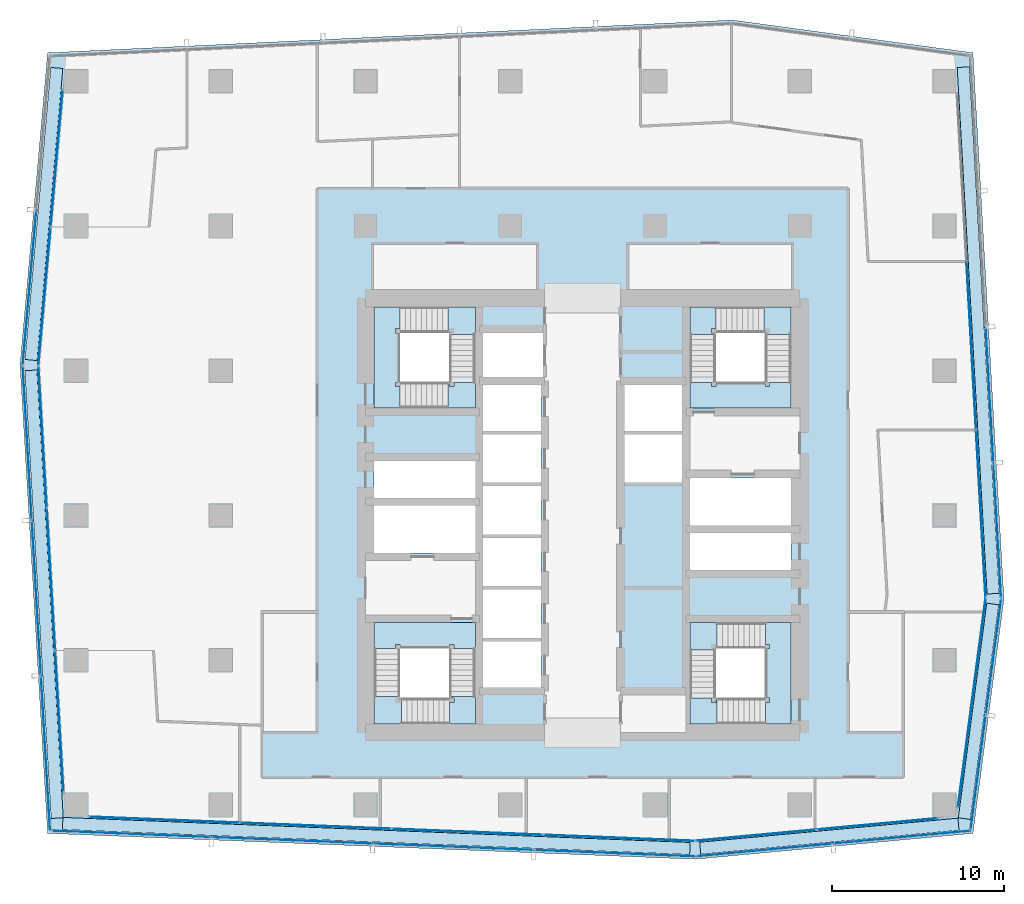
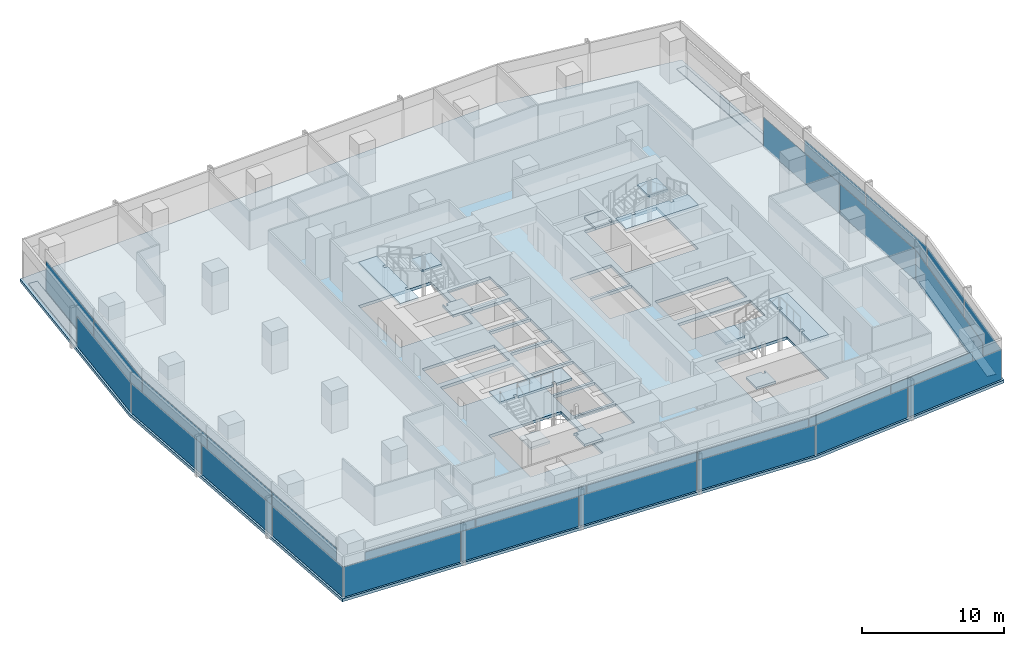
# One storey, part 26 of 40: 34 plates, 13 slabs, 16 elements without a shape of their own.
"""IFC4 building model written with IfcOpenShell, lengths in metres."""

from ifc_helpers import new_model, si_unit, direction, frame, origin, origin_2d, place, context, subcontext, project, spatial, polyline, rectangle, outline, extrude, material, layer, layer_set, type_object, element, aggregate, save


model = new_model("IFC4")

# Units and contexts
model_context = context("Model", 3, precision=1e-05, world=origin(), true_north=direction((0.0, 1.0)))
body_context = subcontext(model_context, "Body", "Model", "MODEL_VIEW")
ifc_project = project(units=[si_unit("LENGTHUNIT", "METRE"), si_unit("AREAUNIT", "SQUARE_METRE"), si_unit("VOLUMEUNIT", "CUBIC_METRE"), si_unit("PLANEANGLEUNIT", "RADIAN"), si_unit("MASSUNIT", "GRAM", prefix="KILO")], contexts=[model_context])

# Site, building, storey
site_placement = place(None, origin())
site = spatial("IfcSite", under=ifc_project, at=site_placement, CompositionType="ELEMENT")
building_placement = place(site_placement, origin())
building = spatial("IfcBuilding", under=site, at=building_placement, Name="Rekha Terrace Tower", CompositionType="ELEMENT")
storey_placement = place(building_placement, frame((0.0, 0.0, 210.199951171875)))
storey = spatial("IfcBuildingStorey", under=building, at=storey_placement, Name="L53", CompositionType="ELEMENT", Elevation=210.199951171875)

# Curtain wall, plates
ifc_material_1 = material(Name="Aluminium framing", Category="aluminium")
curtain_wall_type_1 = type_object("IfcCurtainWallType", Name="CW1 double skin inner glazing", PredefinedType="USERDEFINED", material=ifc_material_1)
curtain_wall_1_placement = place(storey_placement, origin())
curtain_wall_1 = element("IfcCurtainWall", 1, at=curtain_wall_1_placement, inside=storey, type_object=curtain_wall_type_1, Name="CW1 double skin inner glazing", ObjectType="DOUBLE SKIN INNER GLAZING", PredefinedType="USERDEFINED")
ifc_material_2 = material(Name="Double-glazed low-e unit 32", Category="glass")
ifc_layer_1 = layer(ifc_material_2, 0.031982421875)
ifc_layer_set_1 = layer_set([ifc_layer_1], Name="Double-glazed low-e unit 32")
plate_type_1 = type_object("IfcPlateType", Name="CW1 jumbo vision panel, double-glazed low-e unit 32", PredefinedType="CURTAIN_PANEL", material=ifc_layer_set_1)
plate_1_placement = place(storey_placement, frame((13.51318359375, 15.94091796875, 0.0), z_axis=(0.0, 0.0, 1.0), x_axis=(0.999204775798, -0.039872497061, 0.0)))
plate_1 = element("IfcPlate", 2, at=plate_1_placement, type_object=plate_type_1, Name="CW1 panel 1.1", PredefinedType="CURTAIN_PANEL", context=body_context, shape_type="SweptSolid", body=[
    extrude(rectangle(XDim=8.7138671875, YDim=0.031982421875, at=origin_2d()), origin(), (0.0, 0.0, 1.0), 2.60009765625),
])
plate_2_placement = place(storey_placement, frame((22.301025390625, 15.59033203125, 0.0), z_axis=(0.0, 0.0, 1.0), x_axis=(0.999204775798, -0.039872497061, 0.0)))
plate_2 = element("IfcPlate", 3, at=plate_2_placement, type_object=plate_type_1, Name="CW1 panel 2.1", PredefinedType="CURTAIN_PANEL", context=body_context, shape_type="SweptSolid", body=[
    extrude(rectangle(XDim=8.746337890625, YDim=0.031982421875, at=origin_2d()), origin(), (0.0, 0.0, 1.0), 2.60009765625),
])
plate_3_placement = place(storey_placement, frame((31.10546875, 15.239013671875, 0.0), z_axis=(0.0, 0.0, 1.0), x_axis=(0.999204775798, -0.039872497061, 0.0)))
plate_3 = element("IfcPlate", 4, at=plate_3_placement, type_object=plate_type_1, Name="CW1 panel 3.1", PredefinedType="CURTAIN_PANEL", context=body_context, shape_type="SweptSolid", body=[
    extrude(rectangle(XDim=8.746337890625, YDim=0.031982421875, at=origin_2d()), origin(), (0.0, 0.0, 1.0), 2.60009765625),
])
plate_4_placement = place(storey_placement, frame((39.926025390625, 14.886962890625, 0.0), z_axis=(0.0, 0.0, 1.0), x_axis=(0.999204775798, -0.039872497061, 0.0)))
plate_4 = element("IfcPlate", 5, at=plate_4_placement, type_object=plate_type_1, Name="CW1 panel 4.1", PredefinedType="CURTAIN_PANEL", context=body_context, shape_type="SweptSolid", body=[
    extrude(rectangle(XDim=8.77880859375, YDim=0.031982421875, at=origin_2d()), origin(), (0.0, 0.0, 1.0), 2.60009765625),
])
aggregate(curtain_wall_1, [plate_1, plate_2, plate_3, plate_4])

curtain_wall_2_placement = place(storey_placement, origin())
curtain_wall_2 = element("IfcCurtainWall", 6, at=curtain_wall_2_placement, inside=storey, type_object=curtain_wall_type_1, Name="CW1 double skin inner glazing", ObjectType="DOUBLE SKIN INNER GLAZING", PredefinedType="USERDEFINED")
plate_5_placement = place(storey_placement, frame((47.863037109375, 15.042724609375, 0.0), z_axis=(0.0, 0.0, 1.0), x_axis=(0.995693258742, 0.092708869564, 0.0)))
plate_5 = element("IfcPlate", 7, at=plate_5_placement, type_object=plate_type_1, Name="CW1 panel 1.1", PredefinedType="CURTAIN_PANEL", context=body_context, shape_type="SweptSolid", body=[
    extrude(rectangle(XDim=7.003173828125, YDim=0.031982421875, at=origin_2d()), origin(), (0.0, 0.0, 1.0), 2.60009765625),
])
plate_6_placement = place(storey_placement, frame((54.90087890625, 15.697998046875, 0.0), z_axis=(0.0, 0.0, 1.0), x_axis=(0.995693258742, 0.092708869564, 0.0)))
plate_6 = element("IfcPlate", 8, at=plate_6_placement, type_object=plate_type_1, Name="CW1 panel 2.1", PredefinedType="CURTAIN_PANEL", context=body_context, shape_type="SweptSolid", body=[
    extrude(rectangle(XDim=7.003173828125, YDim=0.031982421875, at=origin_2d()), origin(), (0.0, 0.0, 1.0), 2.60009765625),
])
aggregate(curtain_wall_2, [plate_5, plate_6])

# Curtain wall, plate
curtain_wall_3_placement = place(storey_placement, origin())
curtain_wall_3 = element("IfcCurtainWall", 9, at=curtain_wall_3_placement, inside=storey, type_object=curtain_wall_type_1, Name="CW1 double skin inner glazing", ObjectType="DOUBLE SKIN INNER GLAZING", PredefinedType="USERDEFINED")
plate_7_placement = place(storey_placement, frame((60.38330078125, 22.718505859375, 0.0), z_axis=(0.0, 0.0, 1.0), x_axis=(0.131303603093, 0.991342203185, 0.0)))
plate_7 = element("IfcPlate", 10, at=plate_7_placement, type_object=plate_type_1, Name="CW1 panel 1.1", PredefinedType="CURTAIN_PANEL", context=body_context, shape_type="SweptSolid", body=[
    extrude(rectangle(XDim=12.228759765625, YDim=0.031982421875, at=origin_2d()), origin(), (0.0, 0.0, 1.0), 2.60009765625),
])
aggregate(curtain_wall_3, [plate_7])

# Curtain wall, plates
curtain_wall_4_placement = place(storey_placement, origin())
curtain_wall_4 = element("IfcCurtainWall", 11, at=curtain_wall_4_placement, inside=storey, type_object=curtain_wall_type_1, Name="CW1 double skin inner glazing", ObjectType="DOUBLE SKIN INNER GLAZING", PredefinedType="USERDEFINED")
plate_8_placement = place(storey_placement, frame((60.90771484375, 33.68408203125, 0.0), z_axis=(0.0, 0.0, 1.0), x_axis=(-0.05667319486, 0.998392782919, 0.0)))
plate_8 = element("IfcPlate", 12, at=plate_8_placement, type_object=plate_type_1, Name="CW1 panel 1.1", PredefinedType="CURTAIN_PANEL", context=body_context, shape_type="SweptSolid", body=[
    extrude(rectangle(XDim=9.694091796875, YDim=0.031982421875, at=origin_2d()), origin(), (0.0, 0.0, 1.0), 2.60009765625),
])
plate_9_placement = place(storey_placement, frame((60.353759765625, 43.44384765625, 0.0), z_axis=(0.0, 0.0, 1.0), x_axis=(-0.05667319486, 0.998392782919, 0.0)))
plate_9 = element("IfcPlate", 13, at=plate_9_placement, type_object=plate_type_1, Name="CW1 panel 2.1", PredefinedType="CURTAIN_PANEL", context=body_context, shape_type="SweptSolid", body=[
    extrude(rectangle(XDim=9.7265625, YDim=0.031982421875, at=origin_2d()), origin(), (0.0, 0.0, 1.0), 2.60009765625),
])
aggregate(curtain_wall_4, [plate_8, plate_9])

curtain_wall_5_placement = place(storey_placement, origin())
curtain_wall_5 = element("IfcCurtainWall", 14, at=curtain_wall_5_placement, inside=storey, type_object=curtain_wall_type_1, Name="CW1 double skin inner glazing", ObjectType="DOUBLE SKIN INNER GLAZING", PredefinedType="USERDEFINED")
plate_10_placement = place(storey_placement, frame((7.273193359375, 54.32421875, 0.0), z_axis=(0.0, 0.0, 1.0), x_axis=(-0.087957985523, -0.996124185422, 0.0)))
plate_10 = element("IfcPlate", 15, at=plate_10_placement, type_object=plate_type_1, Name="CW1 panel 1.1", PredefinedType="CURTAIN_PANEL", context=body_context, shape_type="SweptSolid", body=[
    extrude(rectangle(XDim=7.950927734375, YDim=0.031982421875, at=origin_2d()), origin(), (0.0, 0.0, 1.0), 2.60009765625),
])
plate_11_placement = place(storey_placement, frame((6.565185546875, 46.306884765625, 0.0), z_axis=(0.0, 0.0, 1.0), x_axis=(-0.087957985523, -0.996124185422, 0.0)))
plate_11 = element("IfcPlate", 16, at=plate_11_placement, type_object=plate_type_1, Name="CW1 panel 2.1", PredefinedType="CURTAIN_PANEL", context=body_context, shape_type="SweptSolid", body=[
    extrude(rectangle(XDim=8.01611328125, YDim=0.031982421875, at=origin_2d()), origin(), (0.0, 0.0, 1.0), 2.60009765625),
])
aggregate(curtain_wall_5, [plate_10, plate_11])

curtain_wall_6_placement = place(storey_placement, origin())
curtain_wall_6 = element("IfcCurtainWall", 17, at=curtain_wall_6_placement, inside=storey, type_object=curtain_wall_type_1, Name="CW1 double skin inner glazing", ObjectType="DOUBLE SKIN INNER GLAZING", PredefinedType="USERDEFINED")
plate_12_placement = place(storey_placement, frame((6.457275390625, 38.1611328125, 0.0), z_axis=(0.0, 0.0, 1.0), x_axis=(0.058765082516, -0.998271839269, 0.0)))
plate_12 = element("IfcPlate", 18, at=plate_12_placement, type_object=plate_type_1, Name="CW1 panel 1.1", PredefinedType="CURTAIN_PANEL", context=body_context, shape_type="SweptSolid", body=[
    extrude(rectangle(XDim=8.19091796875, YDim=0.031982421875, at=origin_2d()), origin(), (0.0, 0.0, 1.0), 2.60009765625),
])
plate_13_placement = place(storey_placement, frame((6.943359375, 29.9033203125, 0.0), z_axis=(0.0, 0.0, 1.0), x_axis=(0.058765082516, -0.998271839269, 0.0)))
plate_13 = element("IfcPlate", 19, at=plate_13_placement, type_object=plate_type_1, Name="CW1 panel 2.1", PredefinedType="CURTAIN_PANEL", context=body_context, shape_type="SweptSolid", body=[
    extrude(rectangle(XDim=8.223388671875, YDim=0.031982421875, at=origin_2d()), origin(), (0.0, 0.0, 1.0), 2.60009765625),
])
plate_14_placement = place(storey_placement, frame((7.429443359375, 21.645263671875, 0.0), z_axis=(0.0, 0.0, 1.0), x_axis=(0.058765082516, -0.998271839269, 0.0)))
plate_14 = element("IfcPlate", 20, at=plate_14_placement, type_object=plate_type_1, Name="CW1 panel 3.1", PredefinedType="CURTAIN_PANEL", context=body_context, shape_type="SweptSolid", body=[
    extrude(rectangle(XDim=8.19091796875, YDim=0.031982421875, at=origin_2d()), origin(), (0.0, 0.0, 1.0), 2.60009765625),
])
aggregate(curtain_wall_6, [plate_12, plate_13, plate_14])

curtain_wall_type_2 = type_object("IfcCurtainWallType", Name="CW2 double skin outer glazing", PredefinedType="USERDEFINED", material=ifc_material_1)
curtain_wall_7_placement = place(storey_placement, origin())
curtain_wall_7 = element("IfcCurtainWall", 21, at=curtain_wall_7_placement, inside=storey, type_object=curtain_wall_type_2, Name="CW2 double skin outer glazing", ObjectType="DOUBLE SKIN OUTER GLAZING", PredefinedType="USERDEFINED")
ifc_material_3 = material(Name="Toughened single glazing 12", Category="glass")
ifc_layer_2 = layer(ifc_material_3, 0.011962890625)
ifc_layer_set_2 = layer_set([ifc_layer_2], Name="Toughened single glazing 12")
plate_type_2 = type_object("IfcPlateType", Name="CW2 jumbo vision panel, toughened single glazing 12", PredefinedType="CURTAIN_PANEL", material=ifc_layer_set_2)
plate_15_placement = place(storey_placement, frame((11.6005859375, 15.116455078125, 0.0), z_axis=(0.0, 0.0, 1.0), x_axis=(0.999204775799, -0.039872497044, 0.0)))
plate_15 = element("IfcPlate", 22, at=plate_15_placement, type_object=plate_type_2, Name="CW2 panel 1.1", PredefinedType="CURTAIN_PANEL", context=body_context, shape_type="SweptSolid", body=[
    extrude(rectangle(XDim=9.24609375, YDim=0.011962890625, at=origin_2d()), origin(), (0.0, 0.0, 1.0), 2.60009765625),
])
plate_16_placement = place(storey_placement, frame((20.939208984375, 14.743896484375, 0.0), z_axis=(0.0, 0.0, 1.0), x_axis=(0.999204775799, -0.039872497044, 0.0)))
plate_16 = element("IfcPlate", 23, at=plate_16_placement, type_object=plate_type_2, Name="CW2 panel 2.1", PredefinedType="CURTAIN_PANEL", context=body_context, shape_type="SweptSolid", body=[
    extrude(rectangle(XDim=9.2861328125, YDim=0.011962890625, at=origin_2d()), origin(), (0.0, 0.0, 1.0), 2.60009765625),
])
plate_17_placement = place(storey_placement, frame((30.2978515625, 14.370361328125, 0.0), z_axis=(0.0, 0.0, 1.0), x_axis=(0.999204775799, -0.039872497044, 0.0)))
plate_17 = element("IfcPlate", 24, at=plate_17_placement, type_object=plate_type_2, Name="CW2 panel 3.1", PredefinedType="CURTAIN_PANEL", context=body_context, shape_type="SweptSolid", body=[
    extrude(rectangle(XDim=9.2861328125, YDim=0.011962890625, at=origin_2d()), origin(), (0.0, 0.0, 1.0), 2.60009765625),
])
plate_18_placement = place(storey_placement, frame((39.676513671875, 13.996337890625, 0.0), z_axis=(0.0, 0.0, 1.0), x_axis=(0.999204775799, -0.039872497044, 0.0)))
plate_18 = element("IfcPlate", 25, at=plate_18_placement, type_object=plate_type_2, Name="CW2 panel 4.1", PredefinedType="CURTAIN_PANEL", context=body_context, shape_type="SweptSolid", body=[
    extrude(rectangle(XDim=9.326171875, YDim=0.011962890625, at=origin_2d()), origin(), (0.0, 0.0, 1.0), 2.60009765625),
])
aggregate(curtain_wall_7, [plate_15, plate_16, plate_17, plate_18])

curtain_wall_8_placement = place(storey_placement, origin())
curtain_wall_8 = element("IfcCurtainWall", 26, at=curtain_wall_8_placement, inside=storey, type_object=curtain_wall_type_2, Name="CW2 double skin outer glazing", ObjectType="DOUBLE SKIN OUTER GLAZING", PredefinedType="USERDEFINED")
plate_19_placement = place(storey_placement, frame((48.348876953125, 14.183837890625, 0.0), z_axis=(0.0, 0.0, 1.0), x_axis=(0.995693258747, 0.092708869512, 0.0)))
plate_19 = element("IfcPlate", 27, at=plate_19_placement, type_object=plate_type_2, Name="CW2 panel 1.1", PredefinedType="CURTAIN_PANEL", context=body_context, shape_type="SweptSolid", body=[
    extrude(rectangle(XDim=7.900634765625, YDim=0.011962890625, at=origin_2d()), origin(), (0.0, 0.0, 1.0), 2.60009765625),
])
plate_20_placement = place(storey_placement, frame((56.3349609375, 14.927490234375, 0.0), z_axis=(0.0, 0.0, 1.0), x_axis=(0.995693258747, 0.092708869512, 0.0)))
plate_20 = element("IfcPlate", 28, at=plate_20_placement, type_object=plate_type_2, Name="CW2 panel 2.1", PredefinedType="CURTAIN_PANEL", context=body_context, shape_type="SweptSolid", body=[
    extrude(rectangle(XDim=7.980712890625, YDim=0.011962890625, at=origin_2d()), origin(), (0.0, 0.0, 1.0), 2.60009765625),
])
aggregate(curtain_wall_8, [plate_19, plate_20])

curtain_wall_9_placement = place(storey_placement, origin())
curtain_wall_9 = element("IfcCurtainWall", 29, at=curtain_wall_9_placement, inside=storey, type_object=curtain_wall_type_2, Name="CW2 double skin outer glazing", ObjectType="DOUBLE SKIN OUTER GLAZING", PredefinedType="USERDEFINED")
plate_21_placement = place(storey_placement, frame((60.756103515625, 18.679443359375, 0.0), z_axis=(0.0, 0.0, 1.0), x_axis=(0.131303603075, 0.991342203187, 0.0)))
plate_21 = element("IfcPlate", 30, at=plate_21_placement, type_object=plate_type_2, Name="CW2 panel 1.1", PredefinedType="CURTAIN_PANEL", context=body_context, shape_type="SweptSolid", body=[
    extrude(rectangle(XDim=6.6630859375, YDim=0.011962890625, at=origin_2d()), origin(), (0.0, 0.0, 1.0), 2.60009765625),
])
plate_22_placement = place(storey_placement, frame((61.646728515625, 25.40380859375, 0.0), z_axis=(0.0, 0.0, 1.0), x_axis=(0.131303603075, 0.991342203187, 0.0)))
plate_22 = element("IfcPlate", 31, at=plate_22_placement, type_object=plate_type_2, Name="CW2 panel 2.1", PredefinedType="CURTAIN_PANEL", context=body_context, shape_type="SweptSolid", body=[
    extrude(rectangle(XDim=6.742919921875, YDim=0.011962890625, at=origin_2d()), origin(), (0.0, 0.0, 1.0), 2.60009765625),
])
aggregate(curtain_wall_9, [plate_21, plate_22])

curtain_wall_10_placement = place(storey_placement, origin())
curtain_wall_10 = element("IfcCurtainWall", 32, at=curtain_wall_10_placement, inside=storey, type_object=curtain_wall_type_2, Name="CW2 double skin outer glazing", ObjectType="DOUBLE SKIN OUTER GLAZING", PredefinedType="USERDEFINED")
plate_23_placement = place(storey_placement, frame((61.8642578125, 32.71142578125, 0.0), z_axis=(0.0, 0.0, 1.0), x_axis=(-0.05667319486, 0.998392782919, 0.0)))
plate_23 = element("IfcPlate", 33, at=plate_23_placement, type_object=plate_type_2, Name="CW2 panel 1.1", PredefinedType="CURTAIN_PANEL", context=body_context, shape_type="SweptSolid", body=[
    extrude(rectangle(XDim=7.783447265625, YDim=0.011962890625, at=origin_2d()), origin(), (0.0, 0.0, 1.0), 2.60009765625),
])
plate_24_placement = place(storey_placement, frame((61.41748046875, 40.582275390625, 0.0), z_axis=(0.0, 0.0, 1.0), x_axis=(-0.05667319486, 0.998392782919, 0.0)))
plate_24 = element("IfcPlate", 34, at=plate_24_placement, type_object=plate_type_2, Name="CW2 panel 2.1", PredefinedType="CURTAIN_PANEL", context=body_context, shape_type="SweptSolid", body=[
    extrude(rectangle(XDim=7.823486328125, YDim=0.011962890625, at=origin_2d()), origin(), (0.0, 0.0, 1.0), 2.60009765625),
])
aggregate(curtain_wall_10, [plate_23, plate_24])

# Curtain wall, plate
curtain_wall_11_placement = place(storey_placement, origin())
curtain_wall_11 = element("IfcCurtainWall", 35, at=curtain_wall_11_placement, inside=storey, type_object=curtain_wall_type_2, Name="CW2 double skin outer glazing", ObjectType="DOUBLE SKIN OUTER GLAZING", PredefinedType="USERDEFINED")
plate_25_placement = place(storey_placement, frame((5.705322265625, 46.800048828125, 0.0), z_axis=(0.0, 0.0, 1.0), x_axis=(-0.087957985453, -0.996124185428, 0.0)))
plate_25 = element("IfcPlate", 36, at=plate_25_placement, type_object=plate_type_2, Name="CW2 panel 2.1", PredefinedType="CURTAIN_PANEL", context=body_context, shape_type="SweptSolid", body=[
    extrude(rectangle(XDim=8.9794921875, YDim=0.011962890625, at=origin_2d()), origin(), (0.0, 0.0, 1.0), 2.60009765625),
])
aggregate(curtain_wall_11, [plate_25])

# Curtain wall, plates
curtain_wall_12_placement = place(storey_placement, origin())
curtain_wall_12 = element("IfcCurtainWall", 37, at=curtain_wall_12_placement, inside=storey, type_object=curtain_wall_type_2, Name="CW2 double skin outer glazing", ObjectType="DOUBLE SKIN OUTER GLAZING", PredefinedType="USERDEFINED")
plate_26_placement = place(storey_placement, frame((5.57666015625, 37.8037109375, 0.0), z_axis=(0.0, 0.0, 1.0), x_axis=(0.058765082499, -0.99827183927, 0.0)))
plate_26 = element("IfcPlate", 38, at=plate_26_placement, type_object=plate_type_2, Name="CW2 panel 1.1", PredefinedType="CURTAIN_PANEL", context=body_context, shape_type="SweptSolid", body=[
    extrude(rectangle(XDim=8.903564453125, YDim=0.011962890625, at=origin_2d()), origin(), (0.0, 0.0, 1.0), 2.60009765625),
])
plate_27_placement = place(storey_placement, frame((6.105712890625, 28.81591796875, 0.0), z_axis=(0.0, 0.0, 1.0), x_axis=(0.058765082499, -0.99827183927, 0.0)))
plate_27 = element("IfcPlate", 39, at=plate_27_placement, type_object=plate_type_2, Name="CW2 panel 2.1", PredefinedType="CURTAIN_PANEL", context=body_context, shape_type="SweptSolid", body=[
    extrude(rectangle(XDim=8.943359375, YDim=0.011962890625, at=origin_2d()), origin(), (0.0, 0.0, 1.0), 2.60009765625),
])
plate_28_placement = place(storey_placement, frame((6.63720703125, 19.7880859375, 0.0), z_axis=(0.0, 0.0, 1.0), x_axis=(0.058765082499, -0.99827183927, 0.0)))
plate_28 = element("IfcPlate", 40, at=plate_28_placement, type_object=plate_type_2, Name="CW2 panel 3.1", PredefinedType="CURTAIN_PANEL", context=body_context, shape_type="SweptSolid", body=[
    extrude(rectangle(XDim=8.9833984375, YDim=0.011962890625, at=origin_2d()), origin(), (0.0, 0.0, 1.0), 2.60009765625),
])
aggregate(curtain_wall_12, [plate_26, plate_27, plate_28])

# Plates
ifc_material_4 = material(Name="Galvanised steel open grating", Category="steel")
ifc_layer_3 = layer(ifc_material_4, 0.050048828125)
ifc_layer_set_3 = layer_set([ifc_layer_3], Name="Galvanised steel open grating")
plate_type_3 = type_object("IfcPlateType", Name="GT1 cavity walkway grating 50", PredefinedType="USERDEFINED", material=ifc_layer_set_3)
plate_29_placement = place(storey_placement, frame((25.8251953125, 14.999267578125, 0.0), z_axis=(0.0, 0.0, 1.0), x_axis=(0.999204775799, -0.039872497044, 0.0)))
element("IfcPlate", 41, at=plate_29_placement, inside=storey, type_object=plate_type_3, Name="Cavity walkway grating", ObjectType="CAVITY WALKWAY GRATING", PredefinedType="USERDEFINED", context=body_context, shape_type="SweptSolid", body=[
    extrude(rectangle(XDim=36.4267578125, YDim=0.705078125, at=origin_2d()), origin(), (0.0, 0.0, 1.0), 0.050048828125),
])
plate_30_placement = place(storey_placement, frame((52.116455078125, 14.98681640625, 0.0), z_axis=(0.0, 0.0, 1.0), x_axis=(0.995693258745, 0.092708869529, 0.0)))
element("IfcPlate", 42, at=plate_30_placement, inside=storey, type_object=plate_type_3, Name="Cavity walkway grating", ObjectType="CAVITY WALKWAY GRATING", PredefinedType="USERDEFINED", context=body_context, shape_type="SweptSolid", body=[
    extrude(rectangle(XDim=15.052734375, YDim=0.705078125, at=origin_2d()), origin(), (0.0, 0.0, 1.0), 0.050048828125),
])
plate_31_placement = place(storey_placement, frame((60.7734375, 22.237548828125, 0.0), z_axis=(0.0, 0.0, 1.0), x_axis=(0.131303603075, 0.991342203187, 0.0)))
element("IfcPlate", 43, at=plate_31_placement, inside=storey, type_object=plate_type_3, Name="Cavity walkway grating", ObjectType="CAVITY WALKWAY GRATING", PredefinedType="USERDEFINED", context=body_context, shape_type="SweptSolid", body=[
    extrude(rectangle(XDim=12.564697265625, YDim=0.705078125, at=origin_2d()), origin(), (0.0, 0.0, 1.0), 0.050048828125),
])
plate_32_placement = place(storey_placement, frame((60.753662109375, 44.338134765625, 0.0), z_axis=(0.0, 0.0, 1.0), x_axis=(-0.05667319486, 0.998392782919, 0.0)))
element("IfcPlate", 44, at=plate_32_placement, inside=storey, type_object=plate_type_3, Name="Cavity walkway grating", ObjectType="CAVITY WALKWAY GRATING", PredefinedType="USERDEFINED", context=body_context, shape_type="SweptSolid", body=[
    extrude(rectangle(XDim=30.6005859375, YDim=0.705078125, at=origin_2d()), origin(), (0.0, 0.0, 1.0), 0.050048828125),
])
plate_33_placement = place(storey_placement, frame((6.5361328125, 51.093505859375, 0.0), z_axis=(0.0, 0.0, 1.0), x_axis=(-0.087957985471, -0.996124185427, 0.0)))
element("IfcPlate", 45, at=plate_33_placement, inside=storey, type_object=plate_type_3, Name="Cavity walkway grating", ObjectType="CAVITY WALKWAY GRATING", PredefinedType="USERDEFINED", context=body_context, shape_type="SweptSolid", body=[
    extrude(rectangle(XDim=17.013427734375, YDim=0.705078125, at=origin_2d()), origin(), (0.0, 0.0, 1.0), 0.050048828125),
])
plate_34_placement = place(storey_placement, frame((6.5439453125, 29.029296875, 0.0), z_axis=(0.0, 0.0, 1.0), x_axis=(0.058765082516, -0.998271839269, 0.0)))
element("IfcPlate", 46, at=plate_34_placement, inside=storey, type_object=plate_type_3, Name="Cavity walkway grating", ObjectType="CAVITY WALKWAY GRATING", PredefinedType="USERDEFINED", context=body_context, shape_type="SweptSolid", body=[
    extrude(rectangle(XDim=26.029541015625, YDim=0.705078125, at=origin_2d()), origin(), (0.0, 0.0, 1.0), 0.050048828125),
])

# Stair, slabs
ifc_material_5 = material(Name="Concrete M40", Category="concrete")
stair_type = type_object("IfcStairType", Name="ST30 stair, 30 risers of 125, going 310, 1500 wide flights, 3 flights", PredefinedType="HALF_TURN_STAIR", material=ifc_material_5)
stair_1_placement = place(storey_placement, origin())
stair_1 = element("IfcStair", 47, at=stair_1_placement, inside=storey, type_object=stair_type, Name="Stair ST1 L53 to L54", PredefinedType="HALF_TURN_STAIR")
ifc_layer_4 = layer(ifc_material_5, 0.199951171875)
ifc_layer_set_4 = layer_set([ifc_layer_4], Name="Concrete M40")
slab_type_1 = type_object("IfcSlabType", Name="LD1 200 concrete stair landing", PredefinedType="LANDING", material=ifc_layer_set_4)
slab_1_placement = place(storey_placement, frame((0.0, 0.0, 1.050048828125)))
slab_1 = element("IfcSlab", 48, at=slab_1_placement, type_object=slab_type_1, Name="ST1 landing 1", PredefinedType="LANDING", context=body_context, shape_type="SweptSolid", body=[
    extrude(outline(polyline([(30.074951171875, 21.5), (31.574951171875, 21.5), (31.574951171875, 23.0849609375), (30.074951171875, 23.0849609375), (30.074951171875, 23.0), (30.324951171875, 23.0), (30.324951171875, 22.75), (30.074951171875, 22.75), (30.074951171875, 21.5)])), origin(), (0.0, 0.0, 1.0), 0.199951171875),
])
slab_2_placement = place(storey_placement, frame((0.0, 0.0, 2.300048828125)))
slab_2 = element("IfcSlab", 49, at=slab_2_placement, type_object=slab_type_1, Name="ST1 landing 2", PredefinedType="LANDING", context=body_context, shape_type="SweptSolid", body=[
    extrude(outline(polyline([(27.199951171875, 23.0849609375), (25.699951171875, 23.0849609375), (25.699951171875, 21.5), (27.284912109375, 21.5), (27.284912109375, 23.0), (27.199951171875, 23.0), (27.199951171875, 23.0849609375)])), origin(), (0.0, 0.0, 1.0), 0.199951171875),
])
slab_3_placement = place(storey_placement, frame((0.0, 0.0, 3.550048828125)))
slab_3 = element("IfcSlab", 50, at=slab_3_placement, type_object=slab_type_1, Name="ST1 landing 3", PredefinedType="LANDING", context=body_context, shape_type="SweptSolid", body=[
    extrude(outline(polyline([(31.574951171875, 25.875), (31.574951171875, 27.375), (25.699951171875, 27.375), (25.699951171875, 25.875), (26.949951171875, 25.875), (26.949951171875, 26.125), (27.199951171875, 26.125), (27.199951171875, 25.875), (30.074951171875, 25.875), (30.074951171875, 26.125), (30.324951171875, 26.125), (30.324951171875, 25.875), (31.574951171875, 25.875)])), origin(), (0.0, 0.0, 1.0), 0.199951171875),
])
aggregate(stair_1, [slab_1, slab_2, slab_3])

stair_2_placement = place(storey_placement, origin())
stair_2 = element("IfcStair", 51, at=stair_2_placement, inside=storey, type_object=stair_type, Name="Stair ST2 L53 to L54", PredefinedType="HALF_TURN_STAIR")
slab_4_placement = place(storey_placement, frame((0.0, 0.0, 1.050048828125)))
slab_4 = element("IfcSlab", 52, at=slab_4_placement, type_object=slab_type_1, Name="ST2 landing 1", PredefinedType="LANDING", context=body_context, shape_type="SweptSolid", body=[
    extrude(outline(polyline([(45.52490234375, 45.699951171875), (44.02490234375, 45.699951171875), (44.02490234375, 44.114990234375), (45.52490234375, 44.114990234375), (45.52490234375, 44.199951171875), (45.27490234375, 44.199951171875), (45.27490234375, 44.449951171875), (45.52490234375, 44.449951171875), (45.52490234375, 45.699951171875)])), origin(), (0.0, 0.0, 1.0), 0.199951171875),
])
slab_5_placement = place(storey_placement, frame((0.0, 0.0, 2.300048828125)))
slab_5 = element("IfcSlab", 53, at=slab_5_placement, type_object=slab_type_1, Name="ST2 landing 2", PredefinedType="LANDING", context=body_context, shape_type="SweptSolid", body=[
    extrude(outline(polyline([(48.39990234375, 44.114990234375), (49.89990234375, 44.114990234375), (49.89990234375, 45.699951171875), (48.31494140625, 45.699951171875), (48.31494140625, 44.199951171875), (48.39990234375, 44.199951171875), (48.39990234375, 44.114990234375)])), origin(), (0.0, 0.0, 1.0), 0.199951171875),
])
slab_6_placement = place(storey_placement, frame((0.0, 0.0, 3.550048828125)))
slab_6 = element("IfcSlab", 54, at=slab_6_placement, type_object=slab_type_1, Name="ST2 landing 3", PredefinedType="LANDING", context=body_context, shape_type="SweptSolid", body=[
    extrude(outline(polyline([(44.02490234375, 41.324951171875), (44.02490234375, 39.824951171875), (49.89990234375, 39.824951171875), (49.89990234375, 41.324951171875), (48.64990234375, 41.324951171875), (48.64990234375, 41.074951171875), (48.39990234375, 41.074951171875), (48.39990234375, 41.324951171875), (45.52490234375, 41.324951171875), (45.52490234375, 41.074951171875), (45.27490234375, 41.074951171875), (45.27490234375, 41.324951171875), (44.02490234375, 41.324951171875)])), origin(), (0.0, 0.0, 1.0), 0.199951171875),
])
aggregate(stair_2, [slab_4, slab_5, slab_6])

stair_3_placement = place(storey_placement, origin())
stair_3 = element("IfcStair", 55, at=stair_3_placement, inside=storey, type_object=stair_type, Name="Stair ST3 L53 to L54", PredefinedType="HALF_TURN_STAIR")
slab_7_placement = place(storey_placement, frame((0.0, 0.0, 1.050048828125)))
slab_7 = element("IfcSlab", 56, at=slab_7_placement, type_object=slab_type_1, Name="ST3 landing 1", PredefinedType="LANDING", context=body_context, shape_type="SweptSolid", body=[
    extrude(outline(polyline([(44.02490234375, 23.0), (44.02490234375, 21.5), (45.610107421875, 21.5), (45.610107421875, 23.0), (45.52490234375, 23.0), (45.52490234375, 22.75), (45.27490234375, 22.75), (45.27490234375, 23.0), (44.02490234375, 23.0)])), origin(), (0.0, 0.0, 1.0), 0.199951171875),
])
slab_8_placement = place(storey_placement, frame((0.0, 0.0, 2.300048828125)))
slab_8 = element("IfcSlab", 57, at=slab_8_placement, type_object=slab_type_1, Name="ST3 landing 2", PredefinedType="LANDING", context=body_context, shape_type="SweptSolid", body=[
    extrude(outline(polyline([(45.610107421875, 25.875), (45.610107421875, 27.375), (44.02490234375, 27.375), (44.02490234375, 25.7900390625), (45.52490234375, 25.7900390625), (45.52490234375, 25.875), (45.610107421875, 25.875)])), origin(), (0.0, 0.0, 1.0), 0.199951171875),
])
slab_9_placement = place(storey_placement, frame((0.0, 0.0, 3.550048828125)))
slab_9 = element("IfcSlab", 58, at=slab_9_placement, type_object=slab_type_1, Name="ST3 landing 3", PredefinedType="LANDING", context=body_context, shape_type="SweptSolid", body=[
    extrude(outline(polyline([(48.39990234375, 21.5), (49.89990234375, 21.5), (49.89990234375, 27.375), (48.39990234375, 27.375), (48.39990234375, 26.125), (48.64990234375, 26.125), (48.64990234375, 25.875), (48.39990234375, 25.875), (48.39990234375, 23.0), (48.64990234375, 23.0), (48.64990234375, 22.75), (48.39990234375, 22.75), (48.39990234375, 21.5)])), origin(), (0.0, 0.0, 1.0), 0.199951171875),
])
aggregate(stair_3, [slab_7, slab_8, slab_9])

stair_4_placement = place(storey_placement, origin())
stair_4 = element("IfcStair", 59, at=stair_4_placement, inside=storey, type_object=stair_type, Name="Stair ST4 L53 to L54", PredefinedType="HALF_TURN_STAIR")
slab_10_placement = place(storey_placement, frame((0.0, 0.0, 1.050048828125)))
slab_10 = element("IfcSlab", 60, at=slab_10_placement, type_object=slab_type_1, Name="ST4 landing 1", PredefinedType="LANDING", context=body_context, shape_type="SweptSolid", body=[
    extrude(outline(polyline([(31.574951171875, 41.324951171875), (31.574951171875, 39.824951171875), (29.989990234375, 39.824951171875), (29.989990234375, 41.324951171875), (30.074951171875, 41.324951171875), (30.074951171875, 41.074951171875), (30.324951171875, 41.074951171875), (30.324951171875, 41.324951171875), (31.574951171875, 41.324951171875)])), origin(), (0.0, 0.0, 1.0), 0.199951171875),
])
slab_11_placement = place(storey_placement, frame((0.0, 0.0, 2.300048828125)))
slab_11 = element("IfcSlab", 61, at=slab_11_placement, type_object=slab_type_1, Name="ST4 landing 2", PredefinedType="LANDING", context=body_context, shape_type="SweptSolid", body=[
    extrude(outline(polyline([(29.989990234375, 44.199951171875), (29.989990234375, 45.699951171875), (31.574951171875, 45.699951171875), (31.574951171875, 44.114990234375), (30.074951171875, 44.114990234375), (30.074951171875, 44.199951171875), (29.989990234375, 44.199951171875)])), origin(), (0.0, 0.0, 1.0), 0.199951171875),
])
slab_12_placement = place(storey_placement, frame((0.0, 0.0, 3.550048828125)))
slab_12 = element("IfcSlab", 62, at=slab_12_placement, type_object=slab_type_1, Name="ST4 landing 3", PredefinedType="LANDING", context=body_context, shape_type="SweptSolid", body=[
    extrude(outline(polyline([(27.199951171875, 39.824951171875), (25.699951171875, 39.824951171875), (25.699951171875, 45.699951171875), (27.199951171875, 45.699951171875), (27.199951171875, 44.449951171875), (26.949951171875, 44.449951171875), (26.949951171875, 44.199951171875), (27.199951171875, 44.199951171875), (27.199951171875, 41.324951171875), (26.949951171875, 41.324951171875), (26.949951171875, 41.074951171875), (27.199951171875, 41.074951171875), (27.199951171875, 39.824951171875)])), origin(), (0.0, 0.0, 1.0), 0.199951171875),
])
aggregate(stair_4, [slab_10, slab_11, slab_12])

# Slab
ifc_material_6 = material(Name="Concrete M50", Category="concrete")
ifc_layer_5 = layer(ifc_material_6, 0.25)
ifc_layer_set_5 = layer_set([ifc_layer_5], Name="Concrete M50")
slab_type_2 = type_object("IfcSlabType", Name="SL4 250 post-tensioned flat plate", PredefinedType="FLOOR", material=ifc_layer_set_5)
slab_13_placement = place(storey_placement, frame((0.0, 0.0, -0.25)))
element("IfcSlab", 63, at=slab_13_placement, inside=storey, type_object=slab_type_2, Name="Post-tensioned flat plate L53", PredefinedType="FLOOR", context=body_context, shape_type="SweptSolid", body=[
    extrude(outline(polyline([(5.14990234375, 42.330078125), (6.75, 15.14990234375), (44.340087890625, 13.64990234375), (60.449951171875, 15.14990234375), (62.25, 28.739990234375), (60.449951171875, 60.449951171875), (46.488037109375, 62.35009765625), (6.75, 60.449951171875), (5.14990234375, 42.330078125)]), holes=[polyline([(31.574951171875, 27.375), (31.574951171875, 21.5), (25.699951171875, 21.5), (25.699951171875, 27.375), (31.574951171875, 27.375)]), polyline([(35.375, 26.300048828125), (35.375, 23.625), (32.02490234375, 23.625), (32.02490234375, 26.300048828125), (35.375, 26.300048828125)]), polyline([(35.375, 29.300048828125), (35.375, 26.5), (32.02490234375, 26.5), (32.02490234375, 29.300048828125), (35.375, 29.300048828125)]), polyline([(35.375, 32.300048828125), (35.375, 29.5), (32.02490234375, 29.5), (32.02490234375, 32.300048828125), (35.375, 32.300048828125)]), polyline([(31.574951171875, 34.175048828125), (31.574951171875, 31.425048828125), (25.699951171875, 31.425048828125), (25.699951171875, 34.175048828125), (31.574951171875, 34.175048828125)]), polyline([(35.375, 35.300048828125), (35.375, 32.5), (32.02490234375, 32.5), (32.02490234375, 35.300048828125), (35.375, 35.300048828125)]), polyline([(31.574951171875, 36.77490234375), (31.574951171875, 34.625), (25.699951171875, 34.625), (25.699951171875, 36.77490234375), (31.574951171875, 36.77490234375)]), polyline([(35.375, 38.300048828125), (35.375, 35.5), (32.02490234375, 35.5), (32.02490234375, 38.300048828125), (35.375, 38.300048828125)]), polyline([(31.574951171875, 45.699951171875), (31.574951171875, 39.824951171875), (25.699951171875, 39.824951171875), (25.699951171875, 45.699951171875), (31.574951171875, 45.699951171875)]), polyline([(49.89990234375, 27.375), (49.89990234375, 21.5), (44.02490234375, 21.5), (44.02490234375, 27.375), (49.89990234375, 27.375)]), polyline([(49.89990234375, 32.574951171875), (49.89990234375, 30.425048828125), (44.02490234375, 30.425048828125), (44.02490234375, 32.574951171875), (49.89990234375, 32.574951171875)]), polyline([(49.89990234375, 35.77490234375), (49.89990234375, 33.02490234375), (44.02490234375, 33.02490234375), (44.02490234375, 35.77490234375), (49.89990234375, 35.77490234375)]), polyline([(43.574951171875, 38.300048828125), (43.574951171875, 35.5), (40.22509765625, 35.5), (40.22509765625, 38.300048828125), (43.574951171875, 38.300048828125)]), polyline([(35.375, 41.175048828125), (35.375, 38.5), (32.02490234375, 38.5), (32.02490234375, 41.175048828125), (35.375, 41.175048828125)]), polyline([(43.574951171875, 41.175048828125), (43.574951171875, 38.5), (40.22509765625, 38.5), (40.22509765625, 41.175048828125), (43.574951171875, 41.175048828125)]), polyline([(49.89990234375, 39.824951171875), (44.02490234375, 39.824951171875), (44.02490234375, 45.699951171875), (49.89990234375, 45.699951171875), (49.89990234375, 39.824951171875)]), polyline([(35.5, 41.625), (32.02490234375, 41.625), (32.02490234375, 44.175048828125), (35.5, 44.175048828125), (35.5, 41.625)])]), origin(), (0.0, 0.0, 1.0), 0.25),
])

save(model, "model.ifc")
